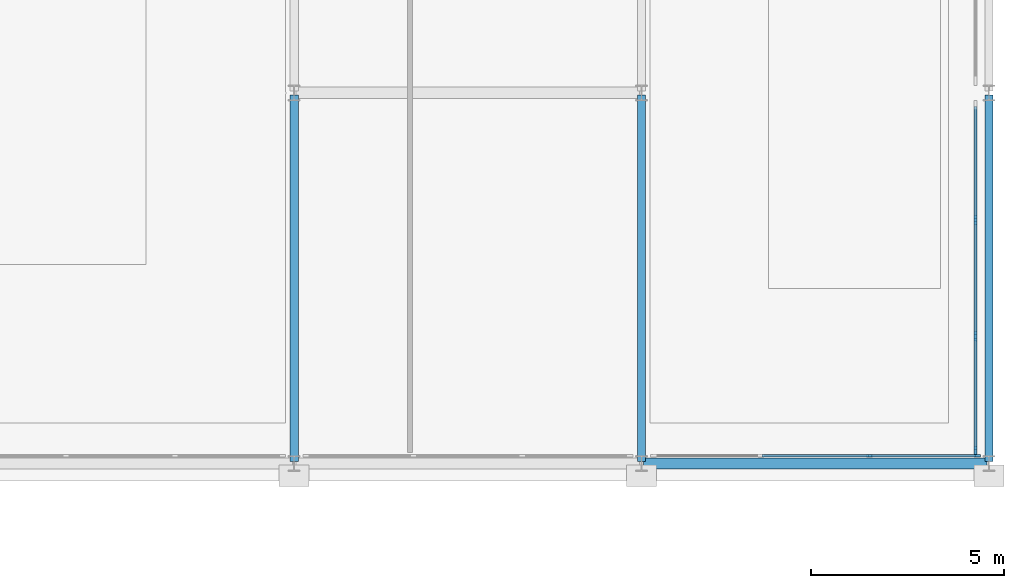
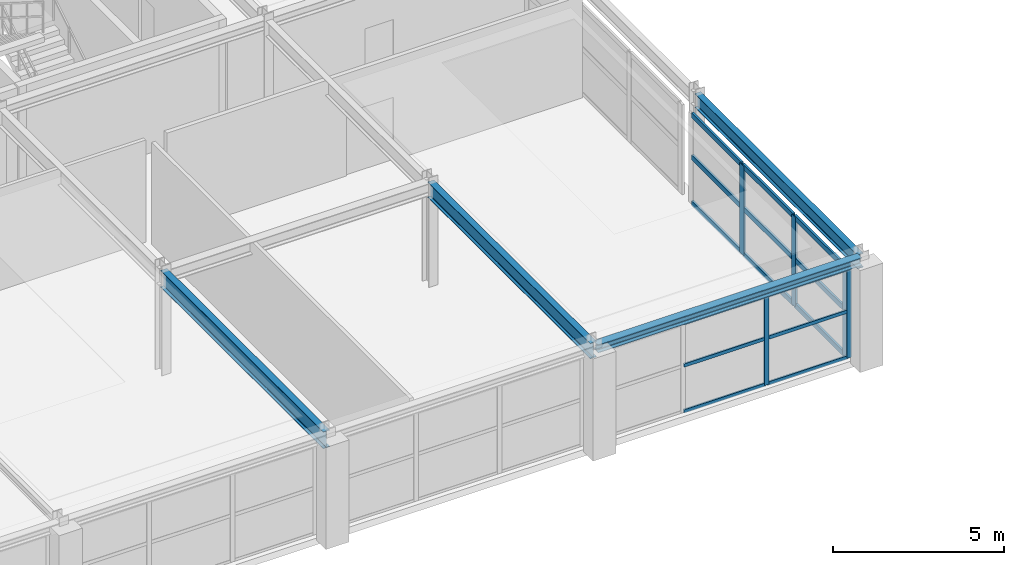
# One storey, part 27 of 52: 20 members, 4 beams, 2 elements without a shape of their own.
"""IFC4 building model written with IfcOpenShell, lengths in metres."""

import ifcopenshell
import ifcopenshell.guid

model = None  # the IFC model being written
_history = None  # IfcOwnerHistory: only IFC2X3 demands one
_inside = {}  # id of a spatial element -> (the spatial element, [elements in it])
_under = {}  # id of a project, library or spatial element -> (it, [spatial elements below it])
_declared = {}  # id of a project -> (the project, [libraries it declares])
_typed = {}  # id of a type object -> (the type object, [elements of that type])
_made_of = {}  # id of a material, layer set ... -> (it, [elements and type objects made of it])


def new_model(schema):
    """Start an empty IFC model of exactly this schema.

    Asked for "IFC4X3", IfcOpenShell would pick the latest addendum, in which some entities
    have other attributes; the version numbers below select the first issue.
    IFC2X3 requires an IfcOwnerHistory on every rooted entity: one is made here for all.
    """
    global model, _history
    if schema == "IFC4X3":
        model = ifcopenshell.file(schema_version=(4, 3, 0, 0))
    else:
        model = ifcopenshell.file(schema=schema)
    _inside.clear()
    _under.clear()
    _declared.clear()
    _typed.clear()
    _made_of.clear()
    _history = None
    if model.schema == "IFC2X3":
        org = make("IfcOrganization", Name="unknown")
        user = make(
            "IfcPersonAndOrganization",
            ThePerson=make("IfcPerson", FamilyName="unknown"),
            TheOrganization=org,
        )
        app = make(
            "IfcApplication",
            ApplicationDeveloper=org,
            Version="unknown",
            ApplicationFullName="unknown",
            ApplicationIdentifier="unknown",
        )
        _history = make(
            "IfcOwnerHistory",
            OwningUser=user,
            OwningApplication=app,
            ChangeAction="ADDED",
            CreationDate=0,
        )
    return model


def make(cls, **values):
    """One entity of the class cls with the attributes given. An attribute that is None is left unset."""
    return model.create_entity(
        cls, **{name: value for name, value in values.items() if value is not None}
    )


def rooted(cls, **values):
    """An entity with a GlobalId (a new one), such as an element, a storey or a relation."""
    return make(cls, GlobalId=ifcopenshell.guid.new(), OwnerHistory=_history, **values)


def si_unit(unit_type, name, prefix=None):
    """IfcSIUnit, for example si_unit("LENGTHUNIT", "METRE", prefix="MILLI")."""
    return make("IfcSIUnit", UnitType=unit_type, Prefix=prefix, Name=name)


def assignment(units):
    """IfcUnitAssignment: the units of a project."""
    return None if units is None else make("IfcUnitAssignment", Units=units)


def point(xyz):
    """IfcCartesianPoint."""
    return None if xyz is None else make("IfcCartesianPoint", Coordinates=xyz)


def direction(xyz):
    """IfcDirection."""
    return None if xyz is None else make("IfcDirection", DirectionRatios=xyz)


def frame(location, z_axis=None, x_axis=None):
    """IfcAxis2Placement3D, a coordinate frame: its origin and axes. An axis left out is left unset."""
    return make(
        "IfcAxis2Placement3D",
        Location=point(location),
        Axis=direction(z_axis),
        RefDirection=direction(x_axis),
    )


def frame_2d(location, x_axis=None):
    """IfcAxis2Placement2D, a coordinate frame in the plane: its origin and x axis."""
    return make(
        "IfcAxis2Placement2D", Location=point(location), RefDirection=direction(x_axis)
    )


def origin():
    """The frame at (0, 0, 0) with its axes left unset."""
    return frame((0.0, 0.0, 0.0))


def origin_2d():
    """The frame at (0, 0) in the plane with its x axis left unset."""
    return frame_2d((0.0, 0.0))


def place(relative_to, where):
    """IfcLocalPlacement: puts the frame where relative to a parent placement (None: the world)."""
    return make(
        "IfcLocalPlacement", PlacementRelTo=relative_to, RelativePlacement=where
    )


def context(
    kind, dimensions, precision=None, world=None, true_north=None, identifier=None
):
    """IfcGeometricRepresentationContext, for example the 3D "Model" context."""
    return make(
        "IfcGeometricRepresentationContext",
        ContextIdentifier=identifier,
        ContextType=kind,
        CoordinateSpaceDimension=dimensions,
        Precision=precision,
        WorldCoordinateSystem=world,
        TrueNorth=true_north,
    )


def subcontext(parent, identifier, kind, view, scale=None):
    """IfcGeometricRepresentationSubContext, for example "Body" below "Model"."""
    return make(
        "IfcGeometricRepresentationSubContext",
        ContextIdentifier=identifier,
        ContextType=kind,
        ParentContext=parent,
        TargetScale=scale,
        TargetView=view,
    )


def project(units=None, contexts=None):
    """IfcProject with its units and contexts."""
    return rooted(
        "IfcProject",
        Name="project",
        RepresentationContexts=contexts,
        UnitsInContext=assignment(units),
    )


def spatial(cls, under=None, at=None, **own):
    """A site, building, storey or space (cls), placed at a placement, below another one or the project."""
    s = rooted(cls, ObjectPlacement=at, **own)
    if under is not None:
        _under.setdefault(under.id(), (under, []))[1].append(s)
    return s


def profile(cls, at=None, kind="AREA", **sizes):
    """A parametric profile (cls). Its sizes go by their IFC names, for example OverallWidth=200.0."""
    return make(cls, ProfileType=kind, Position=at, **sizes)


def rectangle(**sizes):
    """IfcRectangleProfileDef."""
    return profile("IfcRectangleProfileDef", **sizes)


def i_section(**sizes):
    """IfcIShapeProfileDef."""
    return profile("IfcIShapeProfileDef", **sizes)


def extrude(swept, where, along, depth):
    """IfcExtrudedAreaSolid: the profile swept, set in the frame where, extruded along a direction by depth."""
    return make(
        "IfcExtrudedAreaSolid",
        SweptArea=swept,
        Position=where,
        ExtrudedDirection=direction(along),
        Depth=depth,
    )


def shape(context_of_items, identifier, shape_type, items):
    """IfcShapeRepresentation: the items that make up one representation, for example the "Body"."""
    return make(
        "IfcShapeRepresentation",
        ContextOfItems=context_of_items,
        RepresentationIdentifier=identifier,
        RepresentationType=shape_type,
        Items=items,
    )


def material(Name=None, Category=None):
    """IfcMaterial."""
    return make("IfcMaterial", Name=Name, Category=Category)


def layer(
    of_material, thickness, ventilated=None, Name=None, Category=None, Priority=None
):
    """IfcMaterialLayer: one layer of a wall or slab, of a material (None: an air gap)."""
    return make(
        "IfcMaterialLayer",
        Material=of_material,
        LayerThickness=thickness,
        IsVentilated=ventilated,
        Name=Name,
        Category=Category,
        Priority=Priority,
    )


def layer_set(layers, Name=None):
    """IfcMaterialLayerSet."""
    return make("IfcMaterialLayerSet", MaterialLayers=layers, LayerSetName=Name)


def material_profile(
    of_material, cross_section, Name=None, Category=None, Priority=None
):
    """IfcMaterialProfile: a cross section and its material."""
    return make(
        "IfcMaterialProfile",
        Name=Name,
        Material=of_material,
        Profile=cross_section,
        Priority=Priority,
        Category=Category,
    )


def profile_set(profiles, Name=None, composite=None):
    """IfcMaterialProfileSet."""
    return make(
        "IfcMaterialProfileSet",
        Name=Name,
        MaterialProfiles=profiles,
        CompositeProfile=composite,
    )


def made_of(thing, what):
    """Note that an element or type object is made of a material, layer set ...; save() writes the relation."""
    if what is not None:
        _made_of.setdefault(what.id(), (what, []))[1].append(thing)
    return thing


def type_object(cls, material=None, **own):
    """A type object (cls), such as IfcWallType, which elements share."""
    return made_of(rooted(cls, **own), material)


def element(
    cls,
    number,
    at=None,
    inside=None,
    cuts=None,
    type_object=None,
    material=None,
    context=None,
    identifier="Body",
    shape_type=None,
    held_by="IfcProductDefinitionShape",
    body=None,
    shapes=None,
    **own,
):
    """One element of the class cls, such as IfcWall. Its Tag is "e" and its number.

    at: its placement. inside: the storey or other place that contains it. cuts: it is an
    opening in that element (IfcRelVoidsElement). A single representation is given by context,
    identifier, shape_type and body (its items); several are given by shapes. held_by: the class
    of the entity that holds the representations. save() writes the other relations.
    """
    e = rooted(cls, Tag="e%d" % number, ObjectPlacement=at, **own)
    if body is not None:
        shapes = [shape(context, identifier, shape_type, body)]
    if shapes is not None:
        e.Representation = make(held_by, Representations=shapes)
    if inside is not None:
        _inside.setdefault(inside.id(), (inside, []))[1].append(e)
    if cuts is not None:
        rooted(
            "IfcRelVoidsElement", RelatingBuildingElement=cuts, RelatedOpeningElement=e
        )
    if type_object is not None:
        _typed.setdefault(type_object.id(), (type_object, []))[1].append(e)
    return made_of(e, material)


def aggregate(whole, parts):
    """IfcRelAggregates: a whole, such as a stair, and the parts it consists of."""
    return rooted("IfcRelAggregates", RelatingObject=whole, RelatedObjects=parts)


def save(model, path):
    """Write the relations noted so far, then the file.

    IfcRelAggregates (storeys below a building ...), IfcRelContainedInSpatialStructure (elements
    in a storey), IfcRelDefinesByType, IfcRelAssociatesMaterial and IfcRelDeclares: one each for
    every whole, place, type object, material and project.
    """
    for whole, parts in _under.values():
        aggregate(whole, parts)
    for where, things in _inside.values():
        rooted(
            "IfcRelContainedInSpatialStructure",
            RelatedElements=things,
            RelatingStructure=where,
        )
    for kind, things in _typed.values():
        rooted("IfcRelDefinesByType", RelatedObjects=things, RelatingType=kind)
    for what, things in _made_of.values():
        rooted("IfcRelAssociatesMaterial", RelatedObjects=things, RelatingMaterial=what)
    for by, libraries in _declared.values():
        rooted("IfcRelDeclares", RelatingContext=by, RelatedDefinitions=libraries)
    model.write(path)


model = new_model("IFC4")

# Units and contexts
model_context = context("Model", 3, precision=1e-05, world=origin(), true_north=direction((0.0, 1.0)))
body_context = subcontext(model_context, "Body", "Model", "MODEL_VIEW")
ifc_project = project(units=[si_unit("LENGTHUNIT", "METRE"), si_unit("AREAUNIT", "SQUARE_METRE"), si_unit("VOLUMEUNIT", "CUBIC_METRE"), si_unit("PLANEANGLEUNIT", "RADIAN"), si_unit("MASSUNIT", "GRAM", prefix="KILO")], contexts=[model_context])

# Site, building, storey
site_placement = place(None, origin())
site = spatial("IfcSite", under=ifc_project, at=site_placement, CompositionType="ELEMENT")
building_placement = place(site_placement, origin())
building = spatial("IfcBuilding", under=site, at=building_placement, Name="Myrtia Square Station", CompositionType="ELEMENT")
storey_placement = place(building_placement, frame((0.0, 0.0, 15.0)))
storey = spatial("IfcBuildingStorey", under=building, at=storey_placement, Name="L03", CompositionType="ELEMENT", Elevation=15.0)

# Beams
ifc_material_1 = material(Name="Steel S355", Category="steel")
ifc_material_profile_1 = material_profile(ifc_material_1, i_section(OverallWidth=0.199951171875, OverallDepth=0.5, WebThickness=0.01025390625, FlangeThickness=0.01611328125, FilletRadius=0.02099609375, at=origin_2d()), Name="IPE 500")
ifc_profile_set_1 = profile_set([ifc_material_profile_1], Name="Steel S355")
beam_type_1 = type_object("IfcBeamType", Name="BM-IPE500", PredefinedType="BEAM", material=ifc_profile_set_1)
beam_1_placement = place(storey_placement, frame((189.0, 86.449951171875, 3.409912109375), z_axis=(0.0, 1.0, 0.0), x_axis=(-1.0, 0.0, 0.0)))
element("IfcBeam", 1, at=beam_1_placement, inside=storey, type_object=beam_type_1, Name="Structural girder BMY-L03-0866", PredefinedType="BEAM", context=body_context, shape_type="SweptSolid", body=[
    extrude(i_section(OverallWidth=0.199951171875, OverallDepth=0.5, WebThickness=0.01025390625, FlangeThickness=0.01611328125, FilletRadius=0.02099609375, at=origin_2d()), origin(), (0.0, 0.0, 1.0), 9.5),
])
ifc_material_profile_2 = material_profile(ifc_material_1, i_section(OverallWidth=0.2099609375, OverallDepth=0.550048828125, WebThickness=0.010986328125, FlangeThickness=0.01708984375, FilletRadius=0.02392578125, at=origin_2d()), Name="IPE 550")
ifc_profile_set_2 = profile_set([ifc_material_profile_2], Name="Steel S355")
beam_type_2 = type_object("IfcBeamType", Name="BM-IPE550", PredefinedType="BEAM", material=ifc_profile_set_2)
beam_2_placement = place(storey_placement, frame((180.0, 86.449951171875, 3.385009765625), z_axis=(0.0, 1.0, 0.0), x_axis=(-1.0, 0.0, 0.0)))
element("IfcBeam", 2, at=beam_2_placement, inside=storey, type_object=beam_type_2, Name="Structural girder BMY-L03-0862", PredefinedType="BEAM", context=body_context, shape_type="SweptSolid", body=[
    extrude(i_section(OverallWidth=0.2099609375, OverallDepth=0.550048828125, WebThickness=0.010986328125, FlangeThickness=0.01708984375, FilletRadius=0.02392578125, at=origin_2d()), origin(), (0.0, 0.0, 1.0), 9.5),
])
ifc_material_profile_3 = material_profile(ifc_material_1, i_section(OverallWidth=0.219970703125, OverallDepth=0.60009765625, WebThickness=0.011962890625, FlangeThickness=0.01904296875, FilletRadius=0.02392578125, at=origin_2d()), Name="IPE 600")
ifc_profile_set_3 = profile_set([ifc_material_profile_3], Name="Steel S355")
beam_type_3 = type_object("IfcBeamType", Name="BM-IPE600", PredefinedType="BEAM", material=ifc_profile_set_3)
beam_3_placement = place(storey_placement, frame((171.0, 86.449951171875, 3.360107421875), z_axis=(0.0, 1.0, 0.0), x_axis=(-1.0, 0.0, 0.0)))
element("IfcBeam", 3, at=beam_3_placement, inside=storey, type_object=beam_type_3, Name="Structural girder BMY-L03-0858", PredefinedType="BEAM", context=body_context, shape_type="SweptSolid", body=[
    extrude(i_section(OverallWidth=0.219970703125, OverallDepth=0.60009765625, WebThickness=0.011962890625, FlangeThickness=0.01904296875, FilletRadius=0.02392578125, at=origin_2d()), origin(), (0.0, 0.0, 1.0), 9.5),
])

# Curtain wall, members
ifc_material_2 = material(Name="Dark bronze anodised aluminium", Category="aluminium")
ifc_layer_1 = layer(ifc_material_2, 0.159912109375, Name="Dark bronze anodised aluminium")
ifc_layer_set_1 = layer_set([ifc_layer_1], Name="Dark bronze anodised aluminium")
curtain_wall_type_1 = type_object("IfcCurtainWallType", Name="CW-TYPE-41-845x320", PredefinedType="USERDEFINED", material=ifc_layer_set_1)
curtain_wall_1_placement = place(storey_placement, origin())
curtain_wall_1 = element("IfcCurtainWall", 4, at=curtain_wall_1_placement, inside=storey, type_object=curtain_wall_type_1, Name="Concourse curtain wall CW-L03-148", ObjectType="CONCOURSE CURTAIN WALL", PredefinedType="USERDEFINED")
ifc_material_profile_4 = material_profile(ifc_material_2, rectangle(XDim=0.06005859375, YDim=0.159912109375, at=origin_2d()), Name="ALU-M 60x160")
ifc_profile_set_4 = profile_set([ifc_material_profile_4], Name="Dark bronze anodised aluminium")
member_type_1 = type_object("IfcMemberType", Name="CWM-60x160", PredefinedType="MULLION", material=ifc_profile_set_4)
member_1_placement = place(storey_placement, frame((185.908447265625, 86.60009765625, 0.0), z_axis=(0.0, 0.0, 1.0), x_axis=(0.0, 1.0, 0.0)))
member_1 = element("IfcMember", 5, at=member_1_placement, type_object=member_type_1, Name="CW-148 mullion 3", PredefinedType="MULLION", context=body_context, shape_type="SweptSolid", body=[
    extrude(rectangle(XDim=0.06005859375, YDim=0.159912109375, at=origin_2d()), origin(), (0.0, 0.0, 1.0), 3.199951171875),
])
member_2_placement = place(storey_placement, frame((188.695068359375, 86.60009765625, 0.0), z_axis=(0.0, 0.0, 1.0), x_axis=(0.0, 1.0, 0.0)))
member_2 = element("IfcMember", 6, at=member_2_placement, type_object=member_type_1, Name="CW-148 mullion 4", PredefinedType="MULLION", context=body_context, shape_type="SweptSolid", body=[
    extrude(rectangle(XDim=0.06005859375, YDim=0.159912109375, at=origin_2d()), origin(), (0.0, 0.0, 1.0), 3.199951171875),
])

ifc_layer_2 = layer(ifc_material_2, 0.159912109375, Name="Dark bronze anodised aluminium")
ifc_layer_set_2 = layer_set([ifc_layer_2], Name="Dark bronze anodised aluminium")
curtain_wall_type_2 = type_object("IfcCurtainWallType", Name="CW-TYPE-50-905x320", PredefinedType="USERDEFINED", material=ifc_layer_set_2)
curtain_wall_2_placement = place(storey_placement, origin())
curtain_wall_2 = element("IfcCurtainWall", 7, at=curtain_wall_2_placement, inside=storey, type_object=curtain_wall_type_2, Name="Concourse curtain wall CW-L03-159", ObjectType="CONCOURSE CURTAIN WALL", PredefinedType="USERDEFINED")
ifc_material_profile_5 = material_profile(ifc_material_2, rectangle(XDim=0.074951171875, YDim=0.239990234375, at=origin_2d()), Name="ALU-M 75x240")
ifc_profile_set_5 = profile_set([ifc_material_profile_5], Name="Dark bronze anodised aluminium")
member_type_2 = type_object("IfcMemberType", Name="CWM-75x240", PredefinedType="MULLION", material=ifc_profile_set_5)
member_3_placement = place(storey_placement, frame((188.64990234375, 86.71240234375, 0.0), z_axis=(0.0, 0.0, 1.0), x_axis=(-1.0, 0.0, 0.0)))
member_3 = element("IfcMember", 8, at=member_3_placement, type_object=member_type_2, Name="CW-159 mullion 1", PredefinedType="MULLION", context=body_context, shape_type="SweptSolid", body=[
    extrude(rectangle(XDim=0.074951171875, YDim=0.239990234375, at=origin_2d()), origin(), (0.0, 0.0, 1.0), 3.199951171875),
])
member_4_placement = place(storey_placement, frame((188.64990234375, 89.691650390625, 0.0), z_axis=(0.0, 0.0, 1.0), x_axis=(-1.0, 0.0, 0.0)))
member_4 = element("IfcMember", 9, at=member_4_placement, type_object=member_type_2, Name="CW-159 mullion 2", PredefinedType="MULLION", context=body_context, shape_type="SweptSolid", body=[
    extrude(rectangle(XDim=0.074951171875, YDim=0.239990234375, at=origin_2d()), origin(), (0.0, 0.0, 1.0), 3.199951171875),
])
member_5_placement = place(storey_placement, frame((188.64990234375, 92.708251953125, 0.0), z_axis=(0.0, 0.0, 1.0), x_axis=(-1.0, 0.0, 0.0)))
member_5 = element("IfcMember", 10, at=member_5_placement, type_object=member_type_2, Name="CW-159 mullion 3", PredefinedType="MULLION", context=body_context, shape_type="SweptSolid", body=[
    extrude(rectangle(XDim=0.074951171875, YDim=0.239990234375, at=origin_2d()), origin(), (0.0, 0.0, 1.0), 3.199951171875),
])

# Member
ifc_material_profile_6 = material_profile(ifc_material_2, rectangle(XDim=0.06005859375, YDim=0.1201171875, at=origin_2d()), Name="ALU-T 60x120")
ifc_profile_set_6 = profile_set([ifc_material_profile_6], Name="Dark bronze anodised aluminium")
member_type_3 = type_object("IfcMemberType", Name="CWT-60x120", PredefinedType="USERDEFINED", material=ifc_profile_set_6)
member_6_placement = place(storey_placement, frame((183.12158203125, 86.60009765625, 0.030029296875), z_axis=(1.0, 0.0, 0.0), x_axis=(0.0, 1.0, 0.0)))
member_6 = element("IfcMember", 11, at=member_6_placement, type_object=member_type_3, Name="CW-148 transom 2.1", ObjectType="TRANSOM", PredefinedType="USERDEFINED", context=body_context, shape_type="SweptSolid", body=[
    extrude(rectangle(XDim=0.06005859375, YDim=0.1201171875, at=origin_2d()), origin(), (0.0, 0.0, 1.0), 2.7568359375),
])

member_7_placement = place(storey_placement, frame((183.12158203125, 86.60009765625, 1.6640625), z_axis=(1.0, 0.0, 0.0), x_axis=(0.0, 1.0, 0.0)))
member_7 = element("IfcMember", 12, at=member_7_placement, type_object=member_type_3, Name="CW-148 transom 2.2", ObjectType="TRANSOM", PredefinedType="USERDEFINED", context=body_context, shape_type="SweptSolid", body=[
    extrude(rectangle(XDim=0.06005859375, YDim=0.1201171875, at=origin_2d()), origin(), (0.0, 0.0, 1.0), 2.7568359375),
])

member_8_placement = place(storey_placement, frame((183.12158203125, 86.60009765625, 3.169921875), z_axis=(1.0, 0.0, 0.0), x_axis=(0.0, 1.0, 0.0)))
member_8 = element("IfcMember", 13, at=member_8_placement, type_object=member_type_3, Name="CW-148 transom 2.3", ObjectType="TRANSOM", PredefinedType="USERDEFINED", context=body_context, shape_type="SweptSolid", body=[
    extrude(rectangle(XDim=0.06005859375, YDim=0.1201171875, at=origin_2d()), origin(), (0.0, 0.0, 1.0), 2.7568359375),
])

member_9_placement = place(storey_placement, frame((185.938232421875, 86.60009765625, 0.030029296875), z_axis=(1.0, 0.0, 0.0), x_axis=(0.0, 1.0, 0.0)))
member_9 = element("IfcMember", 14, at=member_9_placement, type_object=member_type_3, Name="CW-148 transom 3.1", ObjectType="TRANSOM", PredefinedType="USERDEFINED", context=body_context, shape_type="SweptSolid", body=[
    extrude(rectangle(XDim=0.06005859375, YDim=0.1201171875, at=origin_2d()), origin(), (0.0, 0.0, 1.0), 2.726806640625),
])

member_10_placement = place(storey_placement, frame((185.938232421875, 86.60009765625, 1.6640625), z_axis=(1.0, 0.0, 0.0), x_axis=(0.0, 1.0, 0.0)))
member_10 = element("IfcMember", 15, at=member_10_placement, type_object=member_type_3, Name="CW-148 transom 3.2", ObjectType="TRANSOM", PredefinedType="USERDEFINED", context=body_context, shape_type="SweptSolid", body=[
    extrude(rectangle(XDim=0.06005859375, YDim=0.1201171875, at=origin_2d()), origin(), (0.0, 0.0, 1.0), 2.726806640625),
])

member_11_placement = place(storey_placement, frame((185.938232421875, 86.60009765625, 3.169921875), z_axis=(1.0, 0.0, 0.0), x_axis=(0.0, 1.0, 0.0)))
member_11 = element("IfcMember", 16, at=member_11_placement, type_object=member_type_3, Name="CW-148 transom 3.3", ObjectType="TRANSOM", PredefinedType="USERDEFINED", context=body_context, shape_type="SweptSolid", body=[
    extrude(rectangle(XDim=0.06005859375, YDim=0.1201171875, at=origin_2d()), origin(), (0.0, 0.0, 1.0), 2.726806640625),
])

aggregate(curtain_wall_1, [member_1, member_2, member_6, member_7, member_8, member_9, member_10, member_11])

ifc_material_profile_7 = material_profile(ifc_material_2, rectangle(XDim=0.074951171875, YDim=0.179931640625, at=origin_2d()), Name="ALU-T 75x180")
ifc_profile_set_7 = profile_set([ifc_material_profile_7], Name="Dark bronze anodised aluminium")
member_type_4 = type_object("IfcMemberType", Name="CWT-75x180", PredefinedType="USERDEFINED", material=ifc_profile_set_7)
member_12_placement = place(storey_placement, frame((188.64990234375, 86.75, 0.03759765625), z_axis=(0.0, 1.0, 0.0), x_axis=(-1.0, 0.0, 0.0)))
member_12 = element("IfcMember", 17, at=member_12_placement, type_object=member_type_4, Name="CW-159 transom 1.1", ObjectType="TRANSOM", PredefinedType="USERDEFINED", context=body_context, shape_type="SweptSolid", body=[
    extrude(rectangle(XDim=0.074951171875, YDim=0.179931640625, at=origin_2d()), origin(), (0.0, 0.0, 1.0), 2.904052734375),
])

member_13_placement = place(storey_placement, frame((188.64990234375, 86.75, 1.6640625), z_axis=(0.0, 1.0, 0.0), x_axis=(-1.0, 0.0, 0.0)))
member_13 = element("IfcMember", 18, at=member_13_placement, type_object=member_type_4, Name="CW-159 transom 1.2", ObjectType="TRANSOM", PredefinedType="USERDEFINED", context=body_context, shape_type="SweptSolid", body=[
    extrude(rectangle(XDim=0.074951171875, YDim=0.179931640625, at=origin_2d()), origin(), (0.0, 0.0, 1.0), 2.904052734375),
])

member_14_placement = place(storey_placement, frame((188.64990234375, 86.75, 3.16259765625), z_axis=(0.0, 1.0, 0.0), x_axis=(-1.0, 0.0, 0.0)))
member_14 = element("IfcMember", 19, at=member_14_placement, type_object=member_type_4, Name="CW-159 transom 1.3", ObjectType="TRANSOM", PredefinedType="USERDEFINED", context=body_context, shape_type="SweptSolid", body=[
    extrude(rectangle(XDim=0.074951171875, YDim=0.179931640625, at=origin_2d()), origin(), (0.0, 0.0, 1.0), 2.904052734375),
])

member_15_placement = place(storey_placement, frame((188.64990234375, 89.729248046875, 0.03759765625), z_axis=(0.0, 1.0, 0.0), x_axis=(-1.0, 0.0, 0.0)))
member_15 = element("IfcMember", 20, at=member_15_placement, type_object=member_type_4, Name="CW-159 transom 2.1", ObjectType="TRANSOM", PredefinedType="USERDEFINED", context=body_context, shape_type="SweptSolid", body=[
    extrude(rectangle(XDim=0.074951171875, YDim=0.179931640625, at=origin_2d()), origin(), (0.0, 0.0, 1.0), 2.941650390625),
])

member_16_placement = place(storey_placement, frame((188.64990234375, 89.729248046875, 1.6640625), z_axis=(0.0, 1.0, 0.0), x_axis=(-1.0, 0.0, 0.0)))
member_16 = element("IfcMember", 21, at=member_16_placement, type_object=member_type_4, Name="CW-159 transom 2.2", ObjectType="TRANSOM", PredefinedType="USERDEFINED", context=body_context, shape_type="SweptSolid", body=[
    extrude(rectangle(XDim=0.074951171875, YDim=0.179931640625, at=origin_2d()), origin(), (0.0, 0.0, 1.0), 2.941650390625),
])

member_17_placement = place(storey_placement, frame((188.64990234375, 89.729248046875, 3.16259765625), z_axis=(0.0, 1.0, 0.0), x_axis=(-1.0, 0.0, 0.0)))
member_17 = element("IfcMember", 22, at=member_17_placement, type_object=member_type_4, Name="CW-159 transom 2.3", ObjectType="TRANSOM", PredefinedType="USERDEFINED", context=body_context, shape_type="SweptSolid", body=[
    extrude(rectangle(XDim=0.074951171875, YDim=0.179931640625, at=origin_2d()), origin(), (0.0, 0.0, 1.0), 2.941650390625),
])

member_18_placement = place(storey_placement, frame((188.64990234375, 92.745849609375, 0.03759765625), z_axis=(0.0, 1.0, 0.0), x_axis=(-1.0, 0.0, 0.0)))
member_18 = element("IfcMember", 23, at=member_18_placement, type_object=member_type_4, Name="CW-159 transom 3.1", ObjectType="TRANSOM", PredefinedType="USERDEFINED", context=body_context, shape_type="SweptSolid", body=[
    extrude(rectangle(XDim=0.074951171875, YDim=0.179931640625, at=origin_2d()), origin(), (0.0, 0.0, 1.0), 2.904052734375),
])

member_19_placement = place(storey_placement, frame((188.64990234375, 92.745849609375, 1.6640625), z_axis=(0.0, 1.0, 0.0), x_axis=(-1.0, 0.0, 0.0)))
member_19 = element("IfcMember", 24, at=member_19_placement, type_object=member_type_4, Name="CW-159 transom 3.2", ObjectType="TRANSOM", PredefinedType="USERDEFINED", context=body_context, shape_type="SweptSolid", body=[
    extrude(rectangle(XDim=0.074951171875, YDim=0.179931640625, at=origin_2d()), origin(), (0.0, 0.0, 1.0), 2.904052734375),
])

member_20_placement = place(storey_placement, frame((188.64990234375, 92.745849609375, 3.16259765625), z_axis=(0.0, 1.0, 0.0), x_axis=(-1.0, 0.0, 0.0)))
member_20 = element("IfcMember", 25, at=member_20_placement, type_object=member_type_4, Name="CW-159 transom 3.3", ObjectType="TRANSOM", PredefinedType="USERDEFINED", context=body_context, shape_type="SweptSolid", body=[
    extrude(rectangle(XDim=0.074951171875, YDim=0.179931640625, at=origin_2d()), origin(), (0.0, 0.0, 1.0), 2.904052734375),
])

aggregate(curtain_wall_2, [member_3, member_4, member_5, member_12, member_13, member_14, member_15, member_16, member_17, member_18, member_19, member_20])

# Beam
ifc_material_profile_8 = material_profile(ifc_material_1, i_section(OverallWidth=0.280029296875, OverallDepth=0.280029296875, WebThickness=0.010498046875, FlangeThickness=0.01806640625, FilletRadius=0.02392578125, at=origin_2d()), Name="HEB 280")
ifc_profile_set_8 = profile_set([ifc_material_profile_8], Name="Steel S355")
beam_type_4 = type_object("IfcBeamType", Name="SPN-HEB280", PredefinedType="SPANDREL", material=ifc_profile_set_8)
beam_4_placement = place(storey_placement, frame((180.050048828125, 86.39990234375, 3.52001953125), z_axis=(1.0, 0.0, 0.0), x_axis=(0.0, 1.0, 0.0)))
element("IfcBeam", 26, at=beam_4_placement, inside=storey, type_object=beam_type_4, Name="Structural girder SPN-L03-0241", PredefinedType="SPANDREL", context=body_context, shape_type="SweptSolid", body=[
    extrude(i_section(OverallWidth=0.280029296875, OverallDepth=0.280029296875, WebThickness=0.010498046875, FlangeThickness=0.01806640625, FilletRadius=0.02392578125, at=origin_2d()), origin(), (0.0, 0.0, 1.0), 8.89990234375),
])

save(model, "model.ifc")
